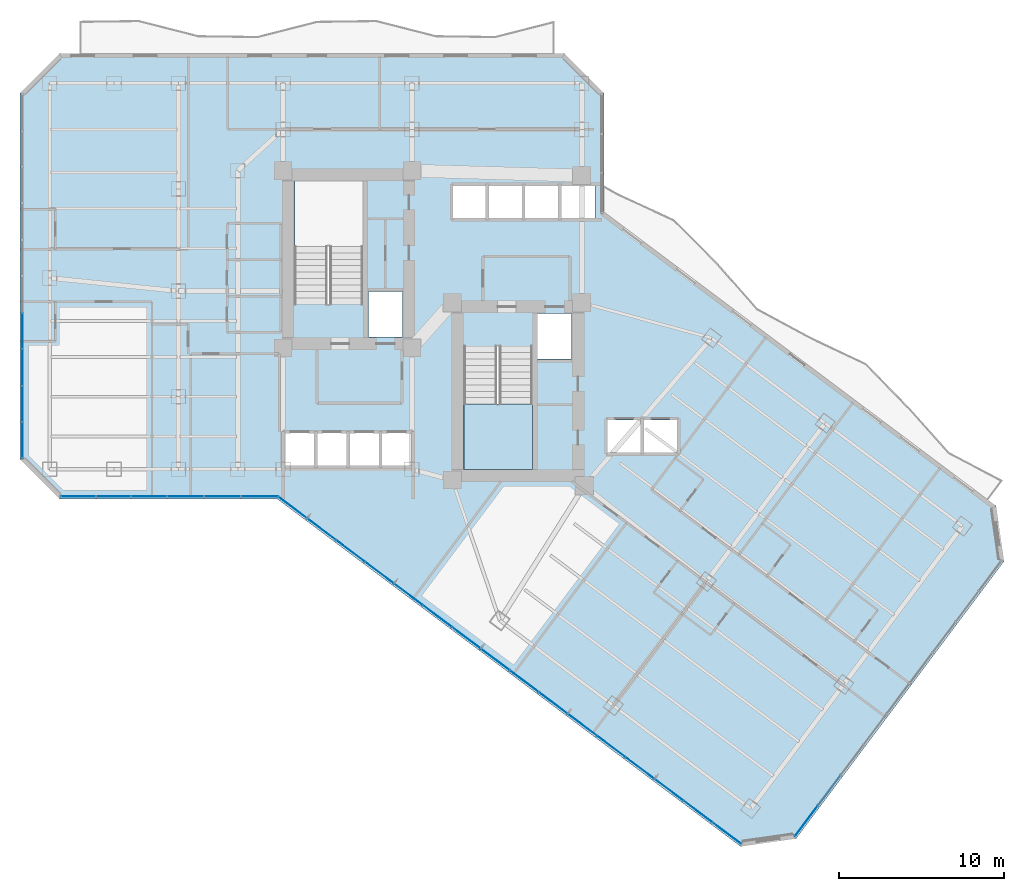
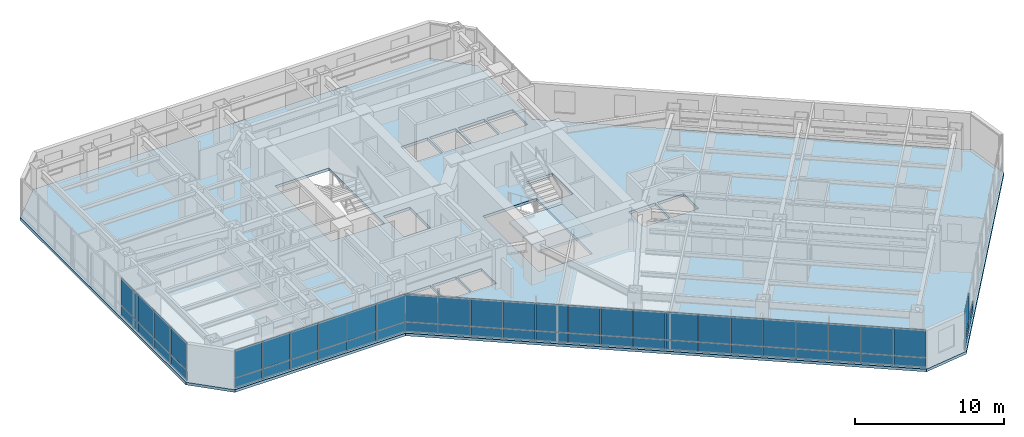
# One storey, part 26 of 36: 55 plates, 2 slabs, 6 elements without a shape of their own.
"""IFC4 building model written with IfcOpenShell, lengths in metres."""

from ifc_helpers import new_model, si_unit, direction, frame, origin, origin_2d, place, context, subcontext, project, spatial, polyline, rectangle, outline, extrude, material, layer, layer_set, type_object, element, aggregate, save


model = new_model("IFC4")

# Units and contexts
model_context = context("Model", 3, precision=1e-05, world=origin(), true_north=direction((0.0, 1.0)))
body_context = subcontext(model_context, "Body", "Model", "MODEL_VIEW")
ifc_project = project(units=[si_unit("LENGTHUNIT", "METRE"), si_unit("AREAUNIT", "SQUARE_METRE"), si_unit("VOLUMEUNIT", "CUBIC_METRE"), si_unit("PLANEANGLEUNIT", "RADIAN"), si_unit("MASSUNIT", "GRAM", prefix="KILO")], contexts=[model_context])

# Site, building, storey
site_placement = place(None, origin())
site = spatial("IfcSite", under=ifc_project, at=site_placement, CompositionType="ELEMENT")
building_placement = place(site_placement, origin())
building = spatial("IfcBuilding", under=site, at=building_placement, Name="Hatsunagi Terrace Concourse", CompositionType="ELEMENT")
storey_placement = place(building_placement, frame((0.0, 0.0, 84.64990234375)))
storey = spatial("IfcBuildingStorey", under=building, at=storey_placement, Name="L22", CompositionType="ELEMENT", Elevation=84.64990234375)

# Curtain wall, plates
ifc_material_1 = material(Name="Anodised Aluminium Alloy 6063-T5", Category="aluminium")
ifc_layer_1 = layer(ifc_material_1, 0.199951171875)
ifc_layer_set_1 = layer_set([ifc_layer_1], Name="HotelFacade_CW02")
curtain_wall_type = type_object("IfcCurtainWallType", Name="HotelFacade_CW02", PredefinedType="NOTDEFINED", material=ifc_layer_set_1)
curtain_wall_1_placement = place(storey_placement, origin())
curtain_wall_1 = element("IfcCurtainWall", 1, at=curtain_wall_1_placement, inside=storey, type_object=curtain_wall_type, Name="Unitised Curtain Wall CW-02 CW-L22-03", PredefinedType="NOTDEFINED")
ifc_material_2 = material(Name="Warm Terracotta Ceramic Spandrel Panel", Category="masonry")
ifc_layer_2 = layer(ifc_material_2, 0.031982421875)
ifc_layer_set_2 = layer_set([ifc_layer_2], Name="CurtainWallSpandrelPanel_32")
plate_type_1 = type_object("IfcPlateType", Name="CurtainWallSpandrelPanel_32", PredefinedType="SHEET", material=ifc_layer_set_2)
plate_1_placement = place(storey_placement, frame((58.65087890625, 5.735107421875, 0.030029296875), z_axis=(0.0, 0.0, 1.0), x_axis=(-0.599969314634, -0.800023013105, 0.0)))
plate_1 = element("IfcPlate", 2, at=plate_1_placement, type_object=plate_type_1, Name="Terracotta Spandrel Panel SPN-01", PredefinedType="SHEET", context=body_context, shape_type="SweptSolid", body=[
    extrude(rectangle(XDim=2.264892578125, YDim=0.031982421875, at=origin_2d()), origin(), (0.0, 0.0, 1.0), 0.7900390625),
])
plate_2_placement = place(storey_placement, frame((57.259033203125, 3.8779296875, 0.030029296875), z_axis=(0.0, 0.0, 1.0), x_axis=(-0.599969314634, -0.800023013105, 0.0)))
plate_2 = element("IfcPlate", 3, at=plate_2_placement, type_object=plate_type_1, Name="Terracotta Spandrel Panel SPN-01", PredefinedType="SHEET", context=body_context, shape_type="SweptSolid", body=[
    extrude(rectangle(XDim=2.264892578125, YDim=0.031982421875, at=origin_2d()), origin(), (0.0, 0.0, 1.0), 0.7900390625),
])

curtain_wall_2_placement = place(storey_placement, origin())
curtain_wall_2 = element("IfcCurtainWall", 4, at=curtain_wall_2_placement, inside=storey, type_object=curtain_wall_type, Name="Unitised Curtain Wall CW-02 CW-L22-05", PredefinedType="NOTDEFINED")
plate_3_placement = place(storey_placement, frame((52.44091796875, 3.14501953125, 0.030029296875), z_axis=(0.0, 0.0, 1.0), x_axis=(-0.800003116929, 0.599995844072, 0.0)))
plate_3 = element("IfcPlate", 5, at=plate_3_placement, type_object=plate_type_1, Name="Terracotta Spandrel Panel SPN-01", PredefinedType="SHEET", context=body_context, shape_type="SweptSolid", body=[
    extrude(rectangle(XDim=2.137939453125, YDim=0.031982421875, at=origin_2d()), origin(), (0.0, 0.0, 1.0), 0.7900390625),
])
plate_4_placement = place(storey_placement, frame((50.68603515625, 4.4609375, 0.030029296875), z_axis=(0.0, 0.0, 1.0), x_axis=(-0.800003116929, 0.599995844072, 0.0)))
plate_4 = element("IfcPlate", 6, at=plate_4_placement, type_object=plate_type_1, Name="Terracotta Spandrel Panel SPN-01", PredefinedType="SHEET", context=body_context, shape_type="SweptSolid", body=[
    extrude(rectangle(XDim=2.137939453125, YDim=0.031982421875, at=origin_2d()), origin(), (0.0, 0.0, 1.0), 0.7900390625),
])
plate_5_placement = place(storey_placement, frame((48.931884765625, 5.777099609375, 0.030029296875), z_axis=(0.0, 0.0, 1.0), x_axis=(-0.800003116929, 0.599995844072, 0.0)))
plate_5 = element("IfcPlate", 7, at=plate_5_placement, type_object=plate_type_1, Name="Terracotta Spandrel Panel SPN-01", PredefinedType="SHEET", context=body_context, shape_type="SweptSolid", body=[
    extrude(rectangle(XDim=2.137939453125, YDim=0.031982421875, at=origin_2d()), origin(), (0.0, 0.0, 1.0), 0.7900390625),
])
plate_6_placement = place(storey_placement, frame((47.177001953125, 7.092041015625, 0.030029296875), z_axis=(0.0, 0.0, 1.0), x_axis=(-0.800003116929, 0.599995844072, 0.0)))
plate_6 = element("IfcPlate", 8, at=plate_6_placement, type_object=plate_type_1, Name="Terracotta Spandrel Panel SPN-01", PredefinedType="SHEET", context=body_context, shape_type="SweptSolid", body=[
    extrude(rectangle(XDim=2.137939453125, YDim=0.031982421875, at=origin_2d()), origin(), (0.0, 0.0, 1.0), 0.7900390625),
])
plate_7_placement = place(storey_placement, frame((45.423095703125, 8.407958984375, 0.030029296875), z_axis=(0.0, 0.0, 1.0), x_axis=(-0.800003116929, 0.599995844072, 0.0)))
plate_7 = element("IfcPlate", 9, at=plate_7_placement, type_object=plate_type_1, Name="Terracotta Spandrel Panel SPN-01", PredefinedType="SHEET", context=body_context, shape_type="SweptSolid", body=[
    extrude(rectangle(XDim=2.137939453125, YDim=0.031982421875, at=origin_2d()), origin(), (0.0, 0.0, 1.0), 0.7900390625),
])
plate_8_placement = place(storey_placement, frame((43.6689453125, 9.72412109375, 0.030029296875), z_axis=(0.0, 0.0, 1.0), x_axis=(-0.800003116929, 0.599995844072, 0.0)))
plate_8 = element("IfcPlate", 10, at=plate_8_placement, type_object=plate_type_1, Name="Terracotta Spandrel Panel SPN-01", PredefinedType="SHEET", context=body_context, shape_type="SweptSolid", body=[
    extrude(rectangle(XDim=2.137939453125, YDim=0.031982421875, at=origin_2d()), origin(), (0.0, 0.0, 1.0), 0.7900390625),
])
plate_9_placement = place(storey_placement, frame((41.9140625, 11.0400390625, 0.030029296875), z_axis=(0.0, 0.0, 1.0), x_axis=(-0.800003116929, 0.599995844072, 0.0)))
plate_9 = element("IfcPlate", 11, at=plate_9_placement, type_object=plate_type_1, Name="Terracotta Spandrel Panel SPN-01", PredefinedType="SHEET", context=body_context, shape_type="SweptSolid", body=[
    extrude(rectangle(XDim=2.137939453125, YDim=0.031982421875, at=origin_2d()), origin(), (0.0, 0.0, 1.0), 0.7900390625),
])
plate_10_placement = place(storey_placement, frame((40.159912109375, 12.35595703125, 0.030029296875), z_axis=(0.0, 0.0, 1.0), x_axis=(-0.800003116929, 0.599995844072, 0.0)))
plate_10 = element("IfcPlate", 12, at=plate_10_placement, type_object=plate_type_1, Name="Terracotta Spandrel Panel SPN-01", PredefinedType="SHEET", context=body_context, shape_type="SweptSolid", body=[
    extrude(rectangle(XDim=2.137939453125, YDim=0.031982421875, at=origin_2d()), origin(), (0.0, 0.0, 1.0), 0.7900390625),
])
plate_11_placement = place(storey_placement, frame((38.405029296875, 13.6708984375, 0.030029296875), z_axis=(0.0, 0.0, 1.0), x_axis=(-0.800003116929, 0.599995844072, 0.0)))
plate_11 = element("IfcPlate", 13, at=plate_11_placement, type_object=plate_type_1, Name="Terracotta Spandrel Panel SPN-01", PredefinedType="SHEET", context=body_context, shape_type="SweptSolid", body=[
    extrude(rectangle(XDim=2.137939453125, YDim=0.031982421875, at=origin_2d()), origin(), (0.0, 0.0, 1.0), 0.7900390625),
])
plate_12_placement = place(storey_placement, frame((36.65087890625, 14.987060546875, 0.030029296875), z_axis=(0.0, 0.0, 1.0), x_axis=(-0.800003116929, 0.599995844072, 0.0)))
plate_12 = element("IfcPlate", 14, at=plate_12_placement, type_object=plate_type_1, Name="Terracotta Spandrel Panel SPN-01", PredefinedType="SHEET", context=body_context, shape_type="SweptSolid", body=[
    extrude(rectangle(XDim=2.137939453125, YDim=0.031982421875, at=origin_2d()), origin(), (0.0, 0.0, 1.0), 0.7900390625),
])
plate_13_placement = place(storey_placement, frame((34.89599609375, 16.302978515625, 0.030029296875), z_axis=(0.0, 0.0, 1.0), x_axis=(-0.800003116929, 0.599995844072, 0.0)))
plate_13 = element("IfcPlate", 15, at=plate_13_placement, type_object=plate_type_1, Name="Terracotta Spandrel Panel SPN-01", PredefinedType="SHEET", context=body_context, shape_type="SweptSolid", body=[
    extrude(rectangle(XDim=2.137939453125, YDim=0.031982421875, at=origin_2d()), origin(), (0.0, 0.0, 1.0), 0.7900390625),
])
plate_14_placement = place(storey_placement, frame((33.14208984375, 17.618896484375, 0.030029296875), z_axis=(0.0, 0.0, 1.0), x_axis=(-0.800003116929, 0.599995844072, 0.0)))
plate_14 = element("IfcPlate", 16, at=plate_14_placement, type_object=plate_type_1, Name="Terracotta Spandrel Panel SPN-01", PredefinedType="SHEET", context=body_context, shape_type="SweptSolid", body=[
    extrude(rectangle(XDim=2.137939453125, YDim=0.031982421875, at=origin_2d()), origin(), (0.0, 0.0, 1.0), 0.7900390625),
])
plate_15_placement = place(storey_placement, frame((31.387939453125, 18.93505859375, 0.030029296875), z_axis=(0.0, 0.0, 1.0), x_axis=(-0.800003116929, 0.599995844072, 0.0)))
plate_15 = element("IfcPlate", 17, at=plate_15_placement, type_object=plate_type_1, Name="Terracotta Spandrel Panel SPN-01", PredefinedType="SHEET", context=body_context, shape_type="SweptSolid", body=[
    extrude(rectangle(XDim=2.137939453125, YDim=0.031982421875, at=origin_2d()), origin(), (0.0, 0.0, 1.0), 0.7900390625),
])
plate_16_placement = place(storey_placement, frame((29.633056640625, 20.25, 0.030029296875), z_axis=(0.0, 0.0, 1.0), x_axis=(-0.800003116929, 0.599995844072, 0.0)))
plate_16 = element("IfcPlate", 18, at=plate_16_placement, type_object=plate_type_1, Name="Terracotta Spandrel Panel SPN-01", PredefinedType="SHEET", context=body_context, shape_type="SweptSolid", body=[
    extrude(rectangle(XDim=2.137939453125, YDim=0.031982421875, at=origin_2d()), origin(), (0.0, 0.0, 1.0), 0.7900390625),
])
plate_17_placement = place(storey_placement, frame((27.87890625, 21.56591796875, 0.030029296875), z_axis=(0.0, 0.0, 1.0), x_axis=(-0.800003116929, 0.599995844072, 0.0)))
plate_17 = element("IfcPlate", 19, at=plate_17_placement, type_object=plate_type_1, Name="Terracotta Spandrel Panel SPN-01", PredefinedType="SHEET", context=body_context, shape_type="SweptSolid", body=[
    extrude(rectangle(XDim=2.137939453125, YDim=0.031982421875, at=origin_2d()), origin(), (0.0, 0.0, 1.0), 0.7900390625),
])
plate_18_placement = place(storey_placement, frame((26.1240234375, 22.882080078125, 0.030029296875), z_axis=(0.0, 0.0, 1.0), x_axis=(-0.800003116929, 0.599995844072, 0.0)))
plate_18 = element("IfcPlate", 20, at=plate_18_placement, type_object=plate_type_1, Name="Terracotta Spandrel Panel SPN-01", PredefinedType="SHEET", context=body_context, shape_type="SweptSolid", body=[
    extrude(rectangle(XDim=2.137939453125, YDim=0.031982421875, at=origin_2d()), origin(), (0.0, 0.0, 1.0), 0.7900390625),
])

curtain_wall_3_placement = place(storey_placement, origin())
curtain_wall_3 = element("IfcCurtainWall", 21, at=curtain_wall_3_placement, inside=storey, type_object=curtain_wall_type, Name="Unitised Curtain Wall CW-02 CW-L22-06", PredefinedType="NOTDEFINED")
plate_19_placement = place(storey_placement, frame((24.1220703125, 23.5400390625, 0.030029296875), z_axis=(0.0, 0.0, 1.0), x_axis=(-1.0, 0.0, 0.0)))
plate_19 = element("IfcPlate", 22, at=plate_19_placement, type_object=plate_type_1, Name="Terracotta Spandrel Panel SPN-01", PredefinedType="SHEET", context=body_context, shape_type="SweptSolid", body=[
    extrude(rectangle(XDim=2.194091796875, YDim=0.031982421875, at=origin_2d()), origin(), (0.0, 0.0, 1.0), 0.7900390625),
])
plate_20_placement = place(storey_placement, frame((21.873046875, 23.5400390625, 0.030029296875), z_axis=(0.0, 0.0, 1.0), x_axis=(-1.0, 0.0, 0.0)))
plate_20 = element("IfcPlate", 23, at=plate_20_placement, type_object=plate_type_1, Name="Terracotta Spandrel Panel SPN-01", PredefinedType="SHEET", context=body_context, shape_type="SweptSolid", body=[
    extrude(rectangle(XDim=2.194091796875, YDim=0.031982421875, at=origin_2d()), origin(), (0.0, 0.0, 1.0), 0.7900390625),
])
plate_21_placement = place(storey_placement, frame((19.6240234375, 23.5400390625, 0.030029296875), z_axis=(0.0, 0.0, 1.0), x_axis=(-1.0, 0.0, 0.0)))
plate_21 = element("IfcPlate", 24, at=plate_21_placement, type_object=plate_type_1, Name="Terracotta Spandrel Panel SPN-01", PredefinedType="SHEET", context=body_context, shape_type="SweptSolid", body=[
    extrude(rectangle(XDim=2.194091796875, YDim=0.031982421875, at=origin_2d()), origin(), (0.0, 0.0, 1.0), 0.7900390625),
])

curtain_wall_4_placement = place(storey_placement, origin())
curtain_wall_4 = element("IfcCurtainWall", 25, at=curtain_wall_4_placement, inside=storey, type_object=curtain_wall_type, Name="Unitised Curtain Wall CW-02 CW-L22-07", PredefinedType="NOTDEFINED")
plate_22_placement = place(storey_placement, frame((17.426025390625, 23.5400390625, 0.030029296875), z_axis=(0.0, 0.0, 1.0), x_axis=(-1.0, 0.0, 0.0)))
plate_22 = element("IfcPlate", 26, at=plate_22_placement, type_object=plate_type_1, Name="Terracotta Spandrel Panel SPN-01", PredefinedType="SHEET", context=body_context, shape_type="SweptSolid", body=[
    extrude(rectangle(XDim=2.092041015625, YDim=0.031982421875, at=origin_2d()), origin(), (0.0, 0.0, 1.0), 0.7900390625),
])
plate_23_placement = place(storey_placement, frame((15.279052734375, 23.5400390625, 0.030029296875), z_axis=(0.0, 0.0, 1.0), x_axis=(-1.0, 0.0, 0.0)))
plate_23 = element("IfcPlate", 27, at=plate_23_placement, type_object=plate_type_1, Name="Terracotta Spandrel Panel SPN-01", PredefinedType="SHEET", context=body_context, shape_type="SweptSolid", body=[
    extrude(rectangle(XDim=2.092041015625, YDim=0.031982421875, at=origin_2d()), origin(), (0.0, 0.0, 1.0), 0.7900390625),
])
plate_24_placement = place(storey_placement, frame((13.132080078125, 23.5400390625, 0.030029296875), z_axis=(0.0, 0.0, 1.0), x_axis=(-1.0, 0.0, 0.0)))
plate_24 = element("IfcPlate", 28, at=plate_24_placement, type_object=plate_type_1, Name="Terracotta Spandrel Panel SPN-01", PredefinedType="SHEET", context=body_context, shape_type="SweptSolid", body=[
    extrude(rectangle(XDim=2.092041015625, YDim=0.031982421875, at=origin_2d()), origin(), (0.0, 0.0, 1.0), 0.7900390625),
])

curtain_wall_5_placement = place(storey_placement, origin())
curtain_wall_5 = element("IfcCurtainWall", 29, at=curtain_wall_5_placement, inside=storey, type_object=curtain_wall_type, Name="Unitised Curtain Wall CW-02 CW-L22-09", PredefinedType="NOTDEFINED")
plate_25_placement = place(storey_placement, frame((9.739990234375, 26.9619140625, 0.030029296875), z_axis=(0.0, 0.0, 1.0), x_axis=(0.0, 1.0, 0.0)))
plate_25 = element("IfcPlate", 30, at=plate_25_placement, type_object=plate_type_1, Name="Terracotta Spandrel Panel SPN-01", PredefinedType="SHEET", context=body_context, shape_type="SweptSolid", body=[
    extrude(rectangle(XDim=2.153076171875, YDim=0.031982421875, at=origin_2d()), origin(), (0.0, 0.0, 1.0), 0.7900390625),
])
plate_26_placement = place(storey_placement, frame((9.739990234375, 29.1708984375, 0.030029296875), z_axis=(0.0, 0.0, 1.0), x_axis=(0.0, 1.0, 0.0)))
plate_26 = element("IfcPlate", 31, at=plate_26_placement, type_object=plate_type_1, Name="Terracotta Spandrel Panel SPN-01", PredefinedType="SHEET", context=body_context, shape_type="SweptSolid", body=[
    extrude(rectangle(XDim=2.153076171875, YDim=0.031982421875, at=origin_2d()), origin(), (0.0, 0.0, 1.0), 0.7900390625),
])
plate_27_placement = place(storey_placement, frame((9.739990234375, 31.37890625, 0.030029296875), z_axis=(0.0, 0.0, 1.0), x_axis=(0.0, 1.0, 0.0)))
plate_27 = element("IfcPlate", 32, at=plate_27_placement, type_object=plate_type_1, Name="Terracotta Spandrel Panel SPN-01", PredefinedType="SHEET", context=body_context, shape_type="SweptSolid", body=[
    extrude(rectangle(XDim=2.153076171875, YDim=0.031982421875, at=origin_2d()), origin(), (0.0, 0.0, 1.0), 0.7900390625),
])
plate_28_placement = place(storey_placement, frame((9.739990234375, 33.5869140625, 0.030029296875), z_axis=(0.0, 0.0, 1.0), x_axis=(0.0, 1.0, 0.0)))
plate_28 = element("IfcPlate", 33, at=plate_28_placement, type_object=plate_type_1, Name="Terracotta Spandrel Panel SPN-01", PredefinedType="SHEET", context=body_context, shape_type="SweptSolid", body=[
    extrude(rectangle(XDim=2.153076171875, YDim=0.031982421875, at=origin_2d()), origin(), (0.0, 0.0, 1.0), 0.7900390625),
])

# Plate
ifc_material_3 = material(Name="Low-E Double Insulating Glass 28mm", Category="glass")
ifc_layer_3 = layer(ifc_material_3, 0.028076171875)
ifc_layer_set_3 = layer_set([ifc_layer_3], Name="CurtainWallVisionGlass_28")
plate_type_2 = type_object("IfcPlateType", Name="CurtainWallVisionGlass_28", PredefinedType="CURTAIN_PANEL", material=ifc_layer_set_3)
plate_29_placement = place(storey_placement, frame((57.259033203125, 3.8779296875, 0.8798828125), z_axis=(0.0, 0.0, 1.0), x_axis=(-0.599969314634, -0.800023013105, 0.0)))
plate_29 = element("IfcPlate", 34, at=plate_29_placement, type_object=plate_type_2, Name="Low-E Vision Glass Panel GLZ-01", PredefinedType="CURTAIN_PANEL", context=body_context, shape_type="SweptSolid", body=[
    extrude(rectangle(XDim=2.264892578125, YDim=0.028076171875, at=origin_2d()), origin(), (0.0, 0.0, 1.0), 2.219970703125),
])

aggregate(curtain_wall_1, [plate_1, plate_2, plate_29])

plate_30_placement = place(storey_placement, frame((52.44091796875, 3.14501953125, 0.8798828125), z_axis=(0.0, 0.0, 1.0), x_axis=(-0.800003116929, 0.599995844072, 0.0)))
plate_30 = element("IfcPlate", 35, at=plate_30_placement, type_object=plate_type_2, Name="Low-E Vision Glass Panel GLZ-01", PredefinedType="CURTAIN_PANEL", context=body_context, shape_type="SweptSolid", body=[
    extrude(rectangle(XDim=2.137939453125, YDim=0.028076171875, at=origin_2d()), origin(), (0.0, 0.0, 1.0), 2.219970703125),
])

plate_31_placement = place(storey_placement, frame((50.68603515625, 4.4609375, 0.8798828125), z_axis=(0.0, 0.0, 1.0), x_axis=(-0.800003116929, 0.599995844072, 0.0)))
plate_31 = element("IfcPlate", 36, at=plate_31_placement, type_object=plate_type_2, Name="Low-E Vision Glass Panel GLZ-01", PredefinedType="CURTAIN_PANEL", context=body_context, shape_type="SweptSolid", body=[
    extrude(rectangle(XDim=2.137939453125, YDim=0.028076171875, at=origin_2d()), origin(), (0.0, 0.0, 1.0), 2.219970703125),
])

plate_32_placement = place(storey_placement, frame((48.931884765625, 5.777099609375, 0.8798828125), z_axis=(0.0, 0.0, 1.0), x_axis=(-0.800003116929, 0.599995844072, 0.0)))
plate_32 = element("IfcPlate", 37, at=plate_32_placement, type_object=plate_type_2, Name="Low-E Vision Glass Panel GLZ-01", PredefinedType="CURTAIN_PANEL", context=body_context, shape_type="SweptSolid", body=[
    extrude(rectangle(XDim=2.137939453125, YDim=0.028076171875, at=origin_2d()), origin(), (0.0, 0.0, 1.0), 2.219970703125),
])

plate_33_placement = place(storey_placement, frame((47.177001953125, 7.092041015625, 0.8798828125), z_axis=(0.0, 0.0, 1.0), x_axis=(-0.800003116929, 0.599995844072, 0.0)))
plate_33 = element("IfcPlate", 38, at=plate_33_placement, type_object=plate_type_2, Name="Low-E Vision Glass Panel GLZ-01", PredefinedType="CURTAIN_PANEL", context=body_context, shape_type="SweptSolid", body=[
    extrude(rectangle(XDim=2.137939453125, YDim=0.028076171875, at=origin_2d()), origin(), (0.0, 0.0, 1.0), 2.219970703125),
])

plate_34_placement = place(storey_placement, frame((45.423095703125, 8.407958984375, 0.8798828125), z_axis=(0.0, 0.0, 1.0), x_axis=(-0.800003116929, 0.599995844072, 0.0)))
plate_34 = element("IfcPlate", 39, at=plate_34_placement, type_object=plate_type_2, Name="Low-E Vision Glass Panel GLZ-01", PredefinedType="CURTAIN_PANEL", context=body_context, shape_type="SweptSolid", body=[
    extrude(rectangle(XDim=2.137939453125, YDim=0.028076171875, at=origin_2d()), origin(), (0.0, 0.0, 1.0), 2.219970703125),
])

plate_35_placement = place(storey_placement, frame((43.6689453125, 9.72412109375, 0.8798828125), z_axis=(0.0, 0.0, 1.0), x_axis=(-0.800003116929, 0.599995844072, 0.0)))
plate_35 = element("IfcPlate", 40, at=plate_35_placement, type_object=plate_type_2, Name="Low-E Vision Glass Panel GLZ-01", PredefinedType="CURTAIN_PANEL", context=body_context, shape_type="SweptSolid", body=[
    extrude(rectangle(XDim=2.137939453125, YDim=0.028076171875, at=origin_2d()), origin(), (0.0, 0.0, 1.0), 2.219970703125),
])

plate_36_placement = place(storey_placement, frame((41.9140625, 11.0400390625, 0.8798828125), z_axis=(0.0, 0.0, 1.0), x_axis=(-0.800003116929, 0.599995844072, 0.0)))
plate_36 = element("IfcPlate", 41, at=plate_36_placement, type_object=plate_type_2, Name="Low-E Vision Glass Panel GLZ-01", PredefinedType="CURTAIN_PANEL", context=body_context, shape_type="SweptSolid", body=[
    extrude(rectangle(XDim=2.137939453125, YDim=0.028076171875, at=origin_2d()), origin(), (0.0, 0.0, 1.0), 2.219970703125),
])

plate_37_placement = place(storey_placement, frame((40.159912109375, 12.35595703125, 0.8798828125), z_axis=(0.0, 0.0, 1.0), x_axis=(-0.800003116929, 0.599995844072, 0.0)))
plate_37 = element("IfcPlate", 42, at=plate_37_placement, type_object=plate_type_2, Name="Low-E Vision Glass Panel GLZ-01", PredefinedType="CURTAIN_PANEL", context=body_context, shape_type="SweptSolid", body=[
    extrude(rectangle(XDim=2.137939453125, YDim=0.028076171875, at=origin_2d()), origin(), (0.0, 0.0, 1.0), 2.219970703125),
])

plate_38_placement = place(storey_placement, frame((38.405029296875, 13.6708984375, 0.8798828125), z_axis=(0.0, 0.0, 1.0), x_axis=(-0.800003116929, 0.599995844072, 0.0)))
plate_38 = element("IfcPlate", 43, at=plate_38_placement, type_object=plate_type_2, Name="Low-E Vision Glass Panel GLZ-01", PredefinedType="CURTAIN_PANEL", context=body_context, shape_type="SweptSolid", body=[
    extrude(rectangle(XDim=2.137939453125, YDim=0.028076171875, at=origin_2d()), origin(), (0.0, 0.0, 1.0), 2.219970703125),
])

plate_39_placement = place(storey_placement, frame((36.65087890625, 14.987060546875, 0.8798828125), z_axis=(0.0, 0.0, 1.0), x_axis=(-0.800003116929, 0.599995844072, 0.0)))
plate_39 = element("IfcPlate", 44, at=plate_39_placement, type_object=plate_type_2, Name="Low-E Vision Glass Panel GLZ-01", PredefinedType="CURTAIN_PANEL", context=body_context, shape_type="SweptSolid", body=[
    extrude(rectangle(XDim=2.137939453125, YDim=0.028076171875, at=origin_2d()), origin(), (0.0, 0.0, 1.0), 2.219970703125),
])

plate_40_placement = place(storey_placement, frame((34.89599609375, 16.302978515625, 0.8798828125), z_axis=(0.0, 0.0, 1.0), x_axis=(-0.800003116929, 0.599995844072, 0.0)))
plate_40 = element("IfcPlate", 45, at=plate_40_placement, type_object=plate_type_2, Name="Low-E Vision Glass Panel GLZ-01", PredefinedType="CURTAIN_PANEL", context=body_context, shape_type="SweptSolid", body=[
    extrude(rectangle(XDim=2.137939453125, YDim=0.028076171875, at=origin_2d()), origin(), (0.0, 0.0, 1.0), 2.219970703125),
])

plate_41_placement = place(storey_placement, frame((33.14208984375, 17.618896484375, 0.8798828125), z_axis=(0.0, 0.0, 1.0), x_axis=(-0.800003116929, 0.599995844072, 0.0)))
plate_41 = element("IfcPlate", 46, at=plate_41_placement, type_object=plate_type_2, Name="Low-E Vision Glass Panel GLZ-01", PredefinedType="CURTAIN_PANEL", context=body_context, shape_type="SweptSolid", body=[
    extrude(rectangle(XDim=2.137939453125, YDim=0.028076171875, at=origin_2d()), origin(), (0.0, 0.0, 1.0), 2.219970703125),
])

plate_42_placement = place(storey_placement, frame((31.387939453125, 18.93505859375, 0.8798828125), z_axis=(0.0, 0.0, 1.0), x_axis=(-0.800003116929, 0.599995844072, 0.0)))
plate_42 = element("IfcPlate", 47, at=plate_42_placement, type_object=plate_type_2, Name="Low-E Vision Glass Panel GLZ-01", PredefinedType="CURTAIN_PANEL", context=body_context, shape_type="SweptSolid", body=[
    extrude(rectangle(XDim=2.137939453125, YDim=0.028076171875, at=origin_2d()), origin(), (0.0, 0.0, 1.0), 2.219970703125),
])

plate_43_placement = place(storey_placement, frame((29.633056640625, 20.25, 0.8798828125), z_axis=(0.0, 0.0, 1.0), x_axis=(-0.800003116929, 0.599995844072, 0.0)))
plate_43 = element("IfcPlate", 48, at=plate_43_placement, type_object=plate_type_2, Name="Low-E Vision Glass Panel GLZ-01", PredefinedType="CURTAIN_PANEL", context=body_context, shape_type="SweptSolid", body=[
    extrude(rectangle(XDim=2.137939453125, YDim=0.028076171875, at=origin_2d()), origin(), (0.0, 0.0, 1.0), 2.219970703125),
])

plate_44_placement = place(storey_placement, frame((27.87890625, 21.56591796875, 0.8798828125), z_axis=(0.0, 0.0, 1.0), x_axis=(-0.800003116929, 0.599995844072, 0.0)))
plate_44 = element("IfcPlate", 49, at=plate_44_placement, type_object=plate_type_2, Name="Low-E Vision Glass Panel GLZ-01", PredefinedType="CURTAIN_PANEL", context=body_context, shape_type="SweptSolid", body=[
    extrude(rectangle(XDim=2.137939453125, YDim=0.028076171875, at=origin_2d()), origin(), (0.0, 0.0, 1.0), 2.219970703125),
])

plate_45_placement = place(storey_placement, frame((26.1240234375, 22.882080078125, 0.8798828125), z_axis=(0.0, 0.0, 1.0), x_axis=(-0.800003116929, 0.599995844072, 0.0)))
plate_45 = element("IfcPlate", 50, at=plate_45_placement, type_object=plate_type_2, Name="Low-E Vision Glass Panel GLZ-01", PredefinedType="CURTAIN_PANEL", context=body_context, shape_type="SweptSolid", body=[
    extrude(rectangle(XDim=2.137939453125, YDim=0.028076171875, at=origin_2d()), origin(), (0.0, 0.0, 1.0), 2.219970703125),
])

aggregate(curtain_wall_2, [plate_3, plate_30, plate_4, plate_31, plate_5, plate_32, plate_6, plate_33, plate_7, plate_34, plate_8, plate_35, plate_9, plate_36, plate_10, plate_37, plate_11, plate_38, plate_12, plate_39, plate_13, plate_40, plate_14, plate_41, plate_15, plate_42, plate_16, plate_43, plate_17, plate_44, plate_18, plate_45])

plate_46_placement = place(storey_placement, frame((24.1220703125, 23.5400390625, 0.8798828125), z_axis=(0.0, 0.0, 1.0), x_axis=(-1.0, 0.0, 0.0)))
plate_46 = element("IfcPlate", 51, at=plate_46_placement, type_object=plate_type_2, Name="Low-E Vision Glass Panel GLZ-01", PredefinedType="CURTAIN_PANEL", context=body_context, shape_type="SweptSolid", body=[
    extrude(rectangle(XDim=2.194091796875, YDim=0.028076171875, at=origin_2d()), origin(), (0.0, 0.0, 1.0), 2.219970703125),
])

plate_47_placement = place(storey_placement, frame((21.873046875, 23.5400390625, 0.8798828125), z_axis=(0.0, 0.0, 1.0), x_axis=(-1.0, 0.0, 0.0)))
plate_47 = element("IfcPlate", 52, at=plate_47_placement, type_object=plate_type_2, Name="Low-E Vision Glass Panel GLZ-01", PredefinedType="CURTAIN_PANEL", context=body_context, shape_type="SweptSolid", body=[
    extrude(rectangle(XDim=2.194091796875, YDim=0.028076171875, at=origin_2d()), origin(), (0.0, 0.0, 1.0), 2.219970703125),
])

plate_48_placement = place(storey_placement, frame((19.6240234375, 23.5400390625, 0.8798828125), z_axis=(0.0, 0.0, 1.0), x_axis=(-1.0, 0.0, 0.0)))
plate_48 = element("IfcPlate", 53, at=plate_48_placement, type_object=plate_type_2, Name="Low-E Vision Glass Panel GLZ-01", PredefinedType="CURTAIN_PANEL", context=body_context, shape_type="SweptSolid", body=[
    extrude(rectangle(XDim=2.194091796875, YDim=0.028076171875, at=origin_2d()), origin(), (0.0, 0.0, 1.0), 2.219970703125),
])

aggregate(curtain_wall_3, [plate_19, plate_46, plate_20, plate_47, plate_21, plate_48])

plate_49_placement = place(storey_placement, frame((17.426025390625, 23.5400390625, 0.8798828125), z_axis=(0.0, 0.0, 1.0), x_axis=(-1.0, 0.0, 0.0)))
plate_49 = element("IfcPlate", 54, at=plate_49_placement, type_object=plate_type_2, Name="Low-E Vision Glass Panel GLZ-01", PredefinedType="CURTAIN_PANEL", context=body_context, shape_type="SweptSolid", body=[
    extrude(rectangle(XDim=2.092041015625, YDim=0.028076171875, at=origin_2d()), origin(), (0.0, 0.0, 1.0), 2.219970703125),
])

plate_50_placement = place(storey_placement, frame((15.279052734375, 23.5400390625, 0.8798828125), z_axis=(0.0, 0.0, 1.0), x_axis=(-1.0, 0.0, 0.0)))
plate_50 = element("IfcPlate", 55, at=plate_50_placement, type_object=plate_type_2, Name="Low-E Vision Glass Panel GLZ-01", PredefinedType="CURTAIN_PANEL", context=body_context, shape_type="SweptSolid", body=[
    extrude(rectangle(XDim=2.092041015625, YDim=0.028076171875, at=origin_2d()), origin(), (0.0, 0.0, 1.0), 2.219970703125),
])

plate_51_placement = place(storey_placement, frame((13.132080078125, 23.5400390625, 0.8798828125), z_axis=(0.0, 0.0, 1.0), x_axis=(-1.0, 0.0, 0.0)))
plate_51 = element("IfcPlate", 56, at=plate_51_placement, type_object=plate_type_2, Name="Low-E Vision Glass Panel GLZ-01", PredefinedType="CURTAIN_PANEL", context=body_context, shape_type="SweptSolid", body=[
    extrude(rectangle(XDim=2.092041015625, YDim=0.028076171875, at=origin_2d()), origin(), (0.0, 0.0, 1.0), 2.219970703125),
])

aggregate(curtain_wall_4, [plate_22, plate_49, plate_23, plate_50, plate_24, plate_51])

plate_52_placement = place(storey_placement, frame((9.739990234375, 26.9619140625, 0.8798828125), z_axis=(0.0, 0.0, 1.0), x_axis=(0.0, 1.0, 0.0)))
plate_52 = element("IfcPlate", 57, at=plate_52_placement, type_object=plate_type_2, Name="Low-E Vision Glass Panel GLZ-01", PredefinedType="CURTAIN_PANEL", context=body_context, shape_type="SweptSolid", body=[
    extrude(rectangle(XDim=2.153076171875, YDim=0.028076171875, at=origin_2d()), origin(), (0.0, 0.0, 1.0), 2.219970703125),
])

plate_53_placement = place(storey_placement, frame((9.739990234375, 29.1708984375, 0.8798828125), z_axis=(0.0, 0.0, 1.0), x_axis=(0.0, 1.0, 0.0)))
plate_53 = element("IfcPlate", 58, at=plate_53_placement, type_object=plate_type_2, Name="Low-E Vision Glass Panel GLZ-01", PredefinedType="CURTAIN_PANEL", context=body_context, shape_type="SweptSolid", body=[
    extrude(rectangle(XDim=2.153076171875, YDim=0.028076171875, at=origin_2d()), origin(), (0.0, 0.0, 1.0), 2.219970703125),
])

plate_54_placement = place(storey_placement, frame((9.739990234375, 31.37890625, 0.8798828125), z_axis=(0.0, 0.0, 1.0), x_axis=(0.0, 1.0, 0.0)))
plate_54 = element("IfcPlate", 59, at=plate_54_placement, type_object=plate_type_2, Name="Low-E Vision Glass Panel GLZ-01", PredefinedType="CURTAIN_PANEL", context=body_context, shape_type="SweptSolid", body=[
    extrude(rectangle(XDim=2.153076171875, YDim=0.028076171875, at=origin_2d()), origin(), (0.0, 0.0, 1.0), 2.219970703125),
])

plate_55_placement = place(storey_placement, frame((9.739990234375, 33.5869140625, 0.8798828125), z_axis=(0.0, 0.0, 1.0), x_axis=(0.0, 1.0, 0.0)))
plate_55 = element("IfcPlate", 60, at=plate_55_placement, type_object=plate_type_2, Name="Low-E Vision Glass Panel GLZ-01", PredefinedType="CURTAIN_PANEL", context=body_context, shape_type="SweptSolid", body=[
    extrude(rectangle(XDim=2.153076171875, YDim=0.028076171875, at=origin_2d()), origin(), (0.0, 0.0, 1.0), 2.219970703125),
])

aggregate(curtain_wall_5, [plate_25, plate_52, plate_26, plate_53, plate_27, plate_54, plate_28, plate_55])

# Stair, slab
ifc_material_4 = material(Name="Concrete Fc42", Category="concrete")
stair_type = type_object("IfcStairType", Name="DoglegExitStair_Tower2000_20R_167", PredefinedType="HALF_TURN_STAIR", material=ifc_material_4)
stair_placement = place(storey_placement, origin())
stair = element("IfcStair", 61, at=stair_placement, inside=storey, type_object=stair_type, Name="L22 Core B Protected Exit Stair ST-B", PredefinedType="HALF_TURN_STAIR")
ifc_material_5 = material(Name="Concrete Fc42", Category="concrete")
ifc_layer_4 = layer(ifc_material_5, 0.199951171875)
ifc_layer_set_4 = layer_set([ifc_layer_4], Name="DoglegStairLanding_Tower2000")
slab_type_1 = type_object("IfcSlabType", Name="DoglegStairLanding_Tower2000", PredefinedType="LANDING", material=ifc_layer_set_4)
slab_1_placement = place(storey_placement, frame((0.0, 0.0, 1.47509765625)))
slab_1 = element("IfcSlab", 62, at=slab_1_placement, type_object=slab_type_1, Name="ST-B landing 1", PredefinedType="LANDING", context=body_context, shape_type="SweptSolid", body=[
    extrude(outline(polyline([(36.5, 29.14990234375), (36.5, 25.199951171875), (40.64990234375, 25.199951171875), (40.64990234375, 29.14990234375), (36.5, 29.14990234375)])), origin(), (0.0, 0.0, 1.0), 0.199951171875),
])
aggregate(stair, [slab_1])

# Slab
ifc_material_6 = material(Name="Concrete Fc42", Category="concrete")
ifc_layer_5 = layer(ifc_material_6, 0.219970703125)
ifc_layer_set_5 = layer_set([ifc_layer_5], Name="HotelFloorSlab_Fc42_220")
slab_type_2 = type_object("IfcSlabType", Name="HotelFloorSlab_Fc42_220", PredefinedType="FLOOR", material=ifc_layer_set_5)
slab_2_placement = place(storey_placement, frame((0.0, 0.0, -0.219970703125)))
element("IfcSlab", 63, at=slab_2_placement, inside=storey, type_object=slab_type_2, Name="Floor Slab SL-220 L22", PredefinedType="FLOOR", context=body_context, shape_type="SweptSolid", body=[
    extrude(outline(polyline([(45.0, 40.800048828125), (45.0, 48.0), (42.60009765625, 50.39990234375), (12.0, 50.39990234375), (9.60009765625, 48.0), (9.60009765625, 25.800048828125), (12.0, 23.39990234375), (25.199951171875, 23.39990234375), (53.280029296875, 2.340087890625), (56.639892578125, 2.820068359375), (69.239990234375, 19.6201171875), (68.760009765625, 22.97998046875), (45.0, 40.800048828125)]), holes=[polyline([(26.22998046875, 35.205078125), (30.3798828125, 35.205078125), (30.3798828125, 42.659912109375), (26.22998046875, 42.659912109375), (26.22998046875, 35.205078125)]), polyline([(36.5, 25.199951171875), (40.64990234375, 25.199951171875), (40.64990234375, 32.655029296875), (36.5, 32.655029296875), (36.5, 25.199951171875)]), polyline([(30.719970703125, 33.219970703125), (32.780029296875, 33.219970703125), (32.780029296875, 35.97998046875), (30.719970703125, 35.97998046875), (30.719970703125, 33.219970703125)]), polyline([(40.97998046875, 31.8798828125), (43.02001953125, 31.8798828125), (43.02001953125, 34.639892578125), (40.97998046875, 34.639892578125), (40.97998046875, 31.8798828125)]), polyline([(25.6201171875, 25.39990234375), (27.47998046875, 25.39990234375), (27.47998046875, 27.39990234375), (25.6201171875, 27.39990234375), (25.6201171875, 25.39990234375)]), polyline([(27.580078125, 25.39990234375), (29.43994140625, 25.39990234375), (29.43994140625, 27.39990234375), (27.580078125, 27.39990234375), (27.580078125, 25.39990234375)]), polyline([(29.5400390625, 25.39990234375), (31.39990234375, 25.39990234375), (31.39990234375, 27.39990234375), (29.5400390625, 27.39990234375), (29.5400390625, 25.39990234375)]), polyline([(31.5, 25.39990234375), (33.360107421875, 25.39990234375), (33.360107421875, 27.39990234375), (31.5, 27.39990234375), (31.5, 25.39990234375)]), polyline([(35.800048828125, 40.39990234375), (37.85009765625, 40.39990234375), (37.85009765625, 42.39990234375), (35.800048828125, 42.39990234375), (35.800048828125, 40.39990234375)]), polyline([(38.0, 40.39990234375), (40.050048828125, 40.39990234375), (40.050048828125, 42.39990234375), (38.0, 42.39990234375), (38.0, 40.39990234375)]), polyline([(40.199951171875, 40.39990234375), (42.25, 40.39990234375), (42.25, 42.39990234375), (40.199951171875, 42.39990234375), (40.199951171875, 40.39990234375)]), polyline([(42.39990234375, 40.39990234375), (44.449951171875, 40.39990234375), (44.449951171875, 42.39990234375), (42.39990234375, 42.39990234375), (42.39990234375, 40.39990234375)]), polyline([(45.199951171875, 26.199951171875), (47.25, 26.199951171875), (47.25, 28.199951171875), (45.199951171875, 28.199951171875), (45.199951171875, 26.199951171875)]), polyline([(47.39990234375, 26.199951171875), (49.449951171875, 26.199951171875), (49.449951171875, 28.199951171875), (47.39990234375, 28.199951171875), (47.39990234375, 26.199951171875)])]), origin(), (0.0, 0.0, 1.0), 0.219970703125),
])

save(model, "model.ifc")
